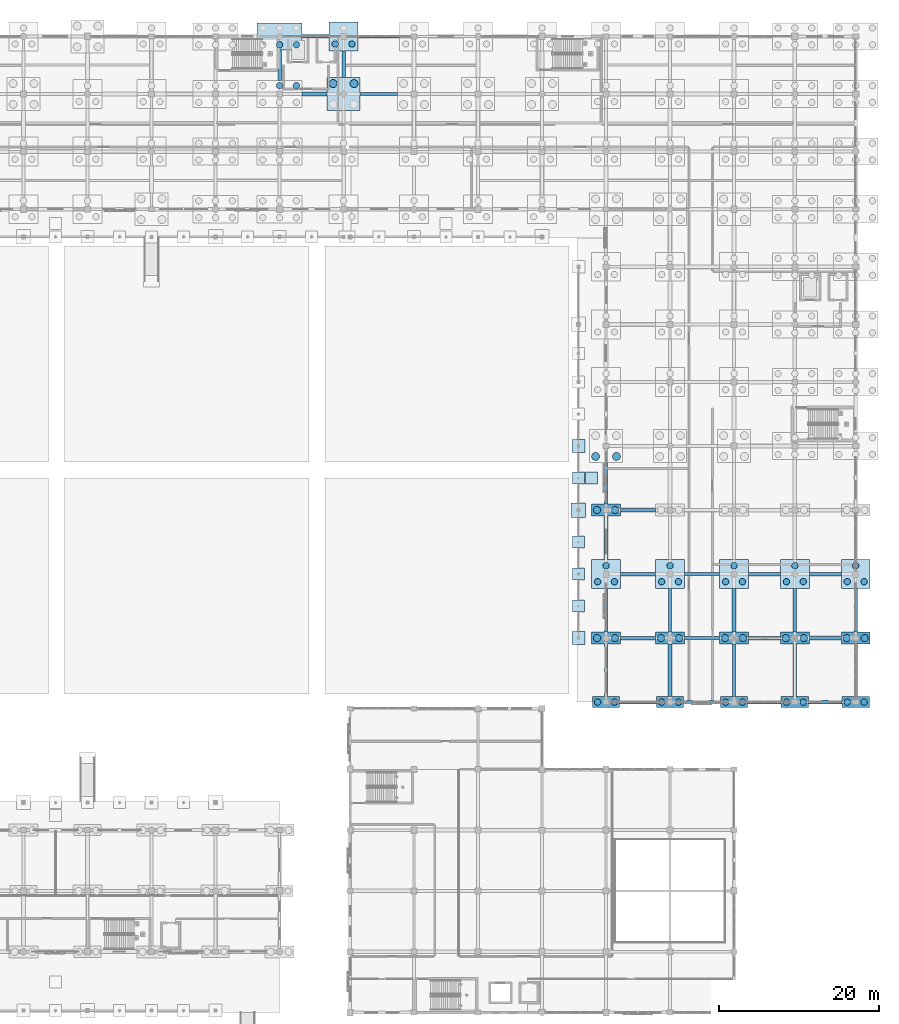
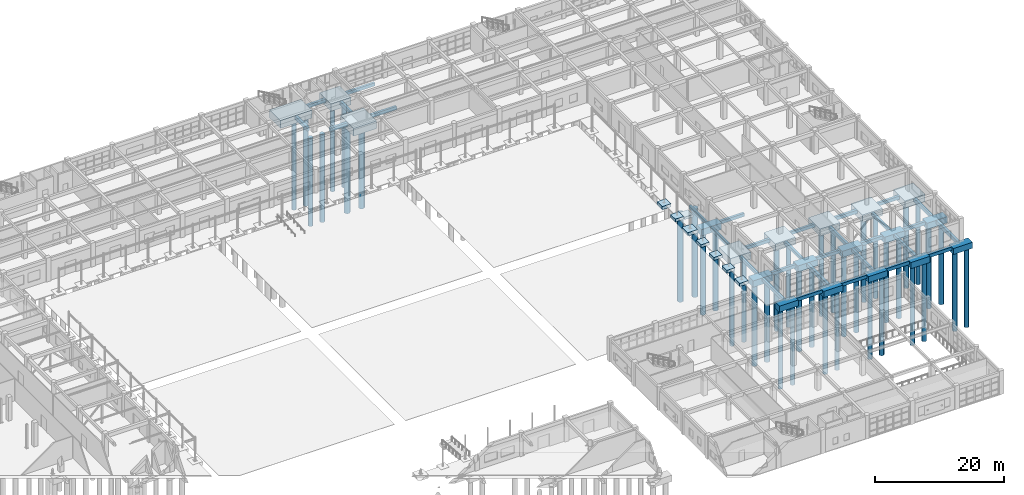
# One storey, part 6 of 166: 58 footings, 47 piles.
"""IFC4 building model written with IfcOpenShell, lengths in metres."""

from ifc_helpers import new_model, si_unit, direction, frame, origin, origin_2d, place, context, subcontext, project, spatial, rectangle, circle, extrude, material, material_profile, profile_set, type_object, element, save


model = new_model("IFC4")

# Units and contexts
model_context = context("Model", 3, precision=1e-05, world=origin(), true_north=direction((0.0, 1.0)))
body_context = subcontext(model_context, "Body", "Model", "MODEL_VIEW")
ifc_project = project(units=[si_unit("LENGTHUNIT", "METRE"), si_unit("AREAUNIT", "SQUARE_METRE"), si_unit("VOLUMEUNIT", "CUBIC_METRE"), si_unit("PLANEANGLEUNIT", "RADIAN"), si_unit("MASSUNIT", "GRAM", prefix="KILO")], contexts=[model_context])

# Site, building, storey
site_placement = place(None, origin())
site = spatial("IfcSite", under=ifc_project, at=site_placement, CompositionType="ELEMENT")
building_placement = place(site_placement, origin())
building = spatial("IfcBuilding", under=site, at=building_placement, Name="Kharva Crest Polytechnic", CompositionType="ELEMENT")
storey_placement = place(building_placement, origin())
storey = spatial("IfcBuildingStorey", under=building, at=storey_placement, Name="L00", CompositionType="ELEMENT", Elevation=0.0)

# Footings
ifc_material = material(Name="Concrete C35/45", Category="concrete")
footing_type_1 = type_object("IfcFootingType", Name="FTG-GB-400X600", PredefinedType="FOOTING_BEAM", material=ifc_material)
footing_1_placement = place(storey_placement, frame((164.800048828125, 38.800048828125, -1.005126953125), z_axis=(0.0, 0.0, 1.0), x_axis=(1.0, 0.0, 0.0)))
element("IfcFooting", 1, at=footing_1_placement, inside=storey, type_object=footing_type_1, Name="L00 Ground Tie Beam FJ/21-22", PredefinedType="FOOTING_BEAM", context=body_context, shape_type="SweptSolid", body=[
    extrude(rectangle(XDim=4.60009765625, YDim=0.39990234375, at=origin_2d()), origin(), (0.0, 0.0, 1.0), 0.60009765625),
])
for number, where, z_axis, x_axis, name in (
    (2, (164.800048828125, 46.800048828125, -1.005126953125), (0.0, 0.0, 1.0), (1.0, 0.0, 0.0), "L00 Ground Tie Beam G/21-22"),
    (3, (164.800048828125, 54.800048828125, -1.005126953125), (0.0, 0.0, 1.0), (1.0, 0.0, 0.0), "L00 Ground Tie Beam H/21-22"),
):
    element("IfcFooting", number, at=place(storey_placement, frame(where, z_axis=z_axis, x_axis=x_axis)), inside=storey, type_object=footing_type_1, Name=name, PredefinedType="FOOTING_BEAM", context=body_context, shape_type="SweptSolid", body=[
        extrude(rectangle(XDim=4.39990234375, YDim=0.39990234375, at=origin_2d()), origin(), (0.0, 0.0, 1.0), 0.60009765625),
    ])
footing_2_placement = place(storey_placement, frame((124.39990234375, 122.0, -1.005126953125), z_axis=(0.0, 0.0, 1.0), x_axis=(1.0, 0.0, 0.0)))
element("IfcFooting", 4, at=footing_2_placement, inside=storey, type_object=footing_type_1, Name="L00 Ground Tie Beam S/16-17", PredefinedType="FOOTING_BEAM", context=body_context, shape_type="SweptSolid", body=[
    extrude(rectangle(XDim=5.199951171875, YDim=0.39990234375, at=origin_2d()), origin(), (0.0, 0.0, 1.0), 0.60009765625),
])
footing_3_placement = place(storey_placement, frame((152.800048828125, 50.27490234375, -1.005126953125), z_axis=(0.0, 0.0, 1.0), x_axis=(0.0, 1.0, 0.0)))
element("IfcFooting", 5, at=footing_3_placement, inside=storey, type_object=footing_type_1, Name="L00 Ground Tie Beam 20/G-H", PredefinedType="FOOTING_BEAM", context=body_context, shape_type="SweptSolid", body=[
    extrude(rectangle(XDim=5.449951171875, YDim=0.39990234375, at=origin_2d()), origin(), (0.0, 0.0, 1.0), 0.60009765625),
])
footing_4_placement = place(storey_placement, frame((168.800048828125, 42.77490234375, -1.005126953125), z_axis=(0.0, 0.0, 1.0), x_axis=(0.0, 1.0, 0.0)))
element("IfcFooting", 6, at=footing_4_placement, inside=storey, type_object=footing_type_1, Name="L00 Ground Tie Beam 22/FJ-G", PredefinedType="FOOTING_BEAM", context=body_context, shape_type="SweptSolid", body=[
    extrude(rectangle(XDim=6.550048828125, YDim=0.39990234375, at=origin_2d()), origin(), (0.0, 0.0, 1.0), 0.60009765625),
])
footing_5_placement = place(storey_placement, frame((176.39990234375, 50.27490234375, -1.005126953125), z_axis=(0.0, 0.0, 1.0), x_axis=(0.0, 1.0, 0.0)))
element("IfcFooting", 7, at=footing_5_placement, inside=storey, type_object=footing_type_1, Name="L00 Ground Tie Beam 23/G-H", PredefinedType="FOOTING_BEAM", context=body_context, shape_type="SweptSolid", body=[
    extrude(rectangle(XDim=5.449951171875, YDim=0.39990234375, at=origin_2d()), origin(), (0.0, 0.0, 1.0), 0.60009765625),
])
footing_type_2 = type_object("IfcFootingType", Name="FTG-GB-420X620", PredefinedType="FOOTING_BEAM", material=ifc_material)
footing_6_placement = place(storey_placement, frame((156.800048828125, 38.800048828125, -1.025146484375), z_axis=(0.0, 0.0, 1.0), x_axis=(1.0, 0.0, 0.0)))
element("IfcFooting", 8, at=footing_6_placement, inside=storey, type_object=footing_type_2, Name="L00 Ground Tie Beam FJ/20-21", PredefinedType="FOOTING_BEAM", context=body_context, shape_type="SweptSolid", body=[
    extrude(rectangle(XDim=4.60009765625, YDim=0.419921875, at=origin_2d()), origin(), (0.0, 0.0, 1.0), 0.6201171875),
])
footing_7_placement = place(storey_placement, frame((180.199951171875, 38.800048828125, -1.025146484375), z_axis=(0.0, 0.0, 1.0), x_axis=(1.0, 0.0, 0.0)))
element("IfcFooting", 9, at=footing_7_placement, inside=storey, type_object=footing_type_2, Name="L00 Ground Tie Beam FJ/23-24", PredefinedType="FOOTING_BEAM", context=body_context, shape_type="SweptSolid", body=[
    extrude(rectangle(XDim=4.199951171875, YDim=0.419921875, at=origin_2d()), origin(), (0.0, 0.0, 1.0), 0.6201171875),
])
footing_8_placement = place(storey_placement, frame((156.800048828125, 46.800048828125, -1.025146484375), z_axis=(0.0, 0.0, 1.0), x_axis=(1.0, 0.0, 0.0)))
element("IfcFooting", 10, at=footing_8_placement, inside=storey, type_object=footing_type_2, Name="L00 Ground Tie Beam G/20-21", PredefinedType="FOOTING_BEAM", context=body_context, shape_type="SweptSolid", body=[
    extrude(rectangle(XDim=4.39990234375, YDim=0.419921875, at=origin_2d()), origin(), (0.0, 0.0, 1.0), 0.6201171875),
])
footing_9_placement = place(storey_placement, frame((180.199951171875, 46.800048828125, -1.025146484375), z_axis=(0.0, 0.0, 1.0), x_axis=(1.0, 0.0, 0.0)))
element("IfcFooting", 11, at=footing_9_placement, inside=storey, type_object=footing_type_2, Name="L00 Ground Tie Beam G/23-24", PredefinedType="FOOTING_BEAM", context=body_context, shape_type="SweptSolid", body=[
    extrude(rectangle(XDim=4.0, YDim=0.419921875, at=origin_2d()), origin(), (0.0, 0.0, 1.0), 0.6201171875),
])
footing_10_placement = place(storey_placement, frame((156.800048828125, 54.800048828125, -1.025146484375), z_axis=(0.0, 0.0, 1.0), x_axis=(1.0, 0.0, 0.0)))
element("IfcFooting", 12, at=footing_10_placement, inside=storey, type_object=footing_type_2, Name="L00 Ground Tie Beam H/20-21", PredefinedType="FOOTING_BEAM", context=body_context, shape_type="SweptSolid", body=[
    extrude(rectangle(XDim=4.39990234375, YDim=0.419921875, at=origin_2d()), origin(), (0.0, 0.0, 1.0), 0.6201171875),
])
footing_11_placement = place(storey_placement, frame((180.199951171875, 54.800048828125, -1.025146484375), z_axis=(0.0, 0.0, 1.0), x_axis=(1.0, 0.0, 0.0)))
element("IfcFooting", 13, at=footing_11_placement, inside=storey, type_object=footing_type_2, Name="L00 Ground Tie Beam H/23-24", PredefinedType="FOOTING_BEAM", context=body_context, shape_type="SweptSolid", body=[
    extrude(rectangle(XDim=4.0, YDim=0.419921875, at=origin_2d()), origin(), (0.0, 0.0, 1.0), 0.6201171875),
])
footing_12_placement = place(storey_placement, frame((156.800048828125, 62.800048828125, -1.025146484375), z_axis=(0.0, 0.0, 1.0), x_axis=(1.0, 0.0, 0.0)))
element("IfcFooting", 14, at=footing_12_placement, inside=storey, type_object=footing_type_2, Name="L00 Ground Tie Beam J/20-21", PredefinedType="FOOTING_BEAM", context=body_context, shape_type="SweptSolid", body=[
    extrude(rectangle(XDim=4.39990234375, YDim=0.419921875, at=origin_2d()), origin(), (0.0, 0.0, 1.0), 0.6201171875),
])
footing_13_placement = place(storey_placement, frame((124.39990234375, 114.800048828125, -1.025146484375), z_axis=(0.0, 0.0, 1.0), x_axis=(1.0, 0.0, 0.0)))
element("IfcFooting", 15, at=footing_13_placement, inside=storey, type_object=footing_type_2, Name="L00 Ground Tie Beam R/16-17", PredefinedType="FOOTING_BEAM", context=body_context, shape_type="SweptSolid", body=[
    extrude(rectangle(XDim=4.699951171875, YDim=0.419921875, at=origin_2d()), origin(), (0.0, 0.0, 1.0), 0.6201171875),
])
footing_14_placement = place(storey_placement, frame((116.5, 122.0, -1.025146484375), z_axis=(0.0, 0.0, 1.0), x_axis=(1.0, 0.0, 0.0)))
element("IfcFooting", 16, at=footing_14_placement, inside=storey, type_object=footing_type_2, Name="L00 Ground Tie Beam S/15-16", PredefinedType="FOOTING_BEAM", context=body_context, shape_type="SweptSolid", body=[
    extrude(rectangle(XDim=3.39990234375, YDim=0.419921875, at=origin_2d()), origin(), (0.0, 0.0, 1.0), 0.6201171875),
])
footing_15_placement = place(storey_placement, frame((152.800048828125, 42.77490234375, -1.025146484375), z_axis=(0.0, 0.0, 1.0), x_axis=(0.0, 1.0, 0.0)))
element("IfcFooting", 17, at=footing_15_placement, inside=storey, type_object=footing_type_2, Name="L00 Ground Tie Beam 20/FJ-G", PredefinedType="FOOTING_BEAM", context=body_context, shape_type="SweptSolid", body=[
    extrude(rectangle(XDim=6.550048828125, YDim=0.419921875, at=origin_2d()), origin(), (0.0, 0.0, 1.0), 0.6201171875),
])
footing_16_placement = place(storey_placement, frame((152.800048828125, 66.14990234375, -1.025146484375), z_axis=(0.0, 0.0, 1.0), x_axis=(0.0, 1.0, 0.0)))
element("IfcFooting", 18, at=footing_16_placement, inside=storey, type_object=footing_type_2, Name="L00 Ground Tie Beam 20/J-K", PredefinedType="FOOTING_BEAM", context=body_context, shape_type="SweptSolid", body=[
    extrude(rectangle(XDim=5.199951171875, YDim=0.419921875, at=origin_2d()), origin(), (0.0, 0.0, 1.0), 0.6201171875),
])
footing_17_placement = place(storey_placement, frame((160.800048828125, 50.27490234375, -1.025146484375), z_axis=(0.0, 0.0, 1.0), x_axis=(0.0, 1.0, 0.0)))
element("IfcFooting", 19, at=footing_17_placement, inside=storey, type_object=footing_type_2, Name="L00 Ground Tie Beam 21/G-H", PredefinedType="FOOTING_BEAM", context=body_context, shape_type="SweptSolid", body=[
    extrude(rectangle(XDim=5.449951171875, YDim=0.419921875, at=origin_2d()), origin(), (0.0, 0.0, 1.0), 0.6201171875),
])
footing_18_placement = place(storey_placement, frame((176.39990234375, 42.77490234375, -1.025146484375), z_axis=(0.0, 0.0, 1.0), x_axis=(0.0, 1.0, 0.0)))
element("IfcFooting", 20, at=footing_18_placement, inside=storey, type_object=footing_type_2, Name="L00 Ground Tie Beam 23/FJ-G", PredefinedType="FOOTING_BEAM", context=body_context, shape_type="SweptSolid", body=[
    extrude(rectangle(XDim=6.550048828125, YDim=0.419921875, at=origin_2d()), origin(), (0.0, 0.0, 1.0), 0.6201171875),
])
footing_19_placement = place(storey_placement, frame((184.0, 50.27490234375, -1.025146484375), z_axis=(0.0, 0.0, 1.0), x_axis=(0.0, 1.0, 0.0)))
element("IfcFooting", 21, at=footing_19_placement, inside=storey, type_object=footing_type_2, Name="L00 Ground Tie Beam 24/G-H", PredefinedType="FOOTING_BEAM", context=body_context, shape_type="SweptSolid", body=[
    extrude(rectangle(XDim=5.449951171875, YDim=0.419921875, at=origin_2d()), origin(), (0.0, 0.0, 1.0), 0.6201171875),
])
footing_type_3 = type_object("IfcFootingType", Name="FTG-GB-450X650", PredefinedType="FOOTING_BEAM", material=ifc_material)
footing_20_placement = place(storey_placement, frame((172.60009765625, 38.800048828125, -1.054931640625), z_axis=(0.0, 0.0, 1.0), x_axis=(1.0, 0.0, 0.0)))
element("IfcFooting", 22, at=footing_20_placement, inside=storey, type_object=footing_type_3, Name="L00 Ground Tie Beam FJ/22-23", PredefinedType="FOOTING_BEAM", context=body_context, shape_type="SweptSolid", body=[
    extrude(rectangle(XDim=4.199951171875, YDim=0.449951171875, at=origin_2d()), origin(), (0.0, 0.0, 1.0), 0.64990234375),
])
for number, where, z_axis, x_axis, name in (
    (23, (172.60009765625, 46.800048828125, -1.054931640625), (0.0, 0.0, 1.0), (1.0, 0.0, 0.0), "L00 Ground Tie Beam G/22-23"),
    (24, (172.60009765625, 54.800048828125, -1.054931640625), (0.0, 0.0, 1.0), (1.0, 0.0, 0.0), "L00 Ground Tie Beam H/22-23"),
):
    element("IfcFooting", number, at=place(storey_placement, frame(where, z_axis=z_axis, x_axis=x_axis)), inside=storey, type_object=footing_type_3, Name=name, PredefinedType="FOOTING_BEAM", context=body_context, shape_type="SweptSolid", body=[
        extrude(rectangle(XDim=4.0, YDim=0.449951171875, at=origin_2d()), origin(), (0.0, 0.0, 1.0), 0.64990234375),
    ])
footing_21_placement = place(storey_placement, frame((116.375, 114.800048828125, -1.054931640625), z_axis=(0.0, 0.0, 1.0), x_axis=(1.0, 0.0, 0.0)))
element("IfcFooting", 25, at=footing_21_placement, inside=storey, type_object=footing_type_3, Name="L00 Ground Tie Beam R/15-16", PredefinedType="FOOTING_BEAM", context=body_context, shape_type="SweptSolid", body=[
    extrude(rectangle(XDim=3.14990234375, YDim=0.449951171875, at=origin_2d()), origin(), (0.0, 0.0, 1.0), 0.64990234375),
])
footing_22_placement = place(storey_placement, frame((112.0, 118.39990234375, -1.054931640625), z_axis=(0.0, 0.0, 1.0), x_axis=(0.0, 1.0, 0.0)))
element("IfcFooting", 26, at=footing_22_placement, inside=storey, type_object=footing_type_3, Name="L00 Ground Tie Beam 15/R-S", PredefinedType="FOOTING_BEAM", context=body_context, shape_type="SweptSolid", body=[
    extrude(rectangle(XDim=3.800048828125, YDim=0.449951171875, at=origin_2d()), origin(), (0.0, 0.0, 1.0), 0.64990234375),
])
footing_23_placement = place(storey_placement, frame((120.0, 118.52490234375, -1.054931640625), z_axis=(0.0, 0.0, 1.0), x_axis=(0.0, 1.0, 0.0)))
element("IfcFooting", 27, at=footing_23_placement, inside=storey, type_object=footing_type_3, Name="L00 Ground Tie Beam 16/R-S", PredefinedType="FOOTING_BEAM", context=body_context, shape_type="SweptSolid", body=[
    extrude(rectangle(XDim=3.35009765625, YDim=0.449951171875, at=origin_2d()), origin(), (0.0, 0.0, 1.0), 0.64990234375),
])
footing_24_placement = place(storey_placement, frame((152.800048828125, 59.324951171875, -1.054931640625), z_axis=(0.0, 0.0, 1.0), x_axis=(0.0, 1.0, 0.0)))
element("IfcFooting", 28, at=footing_24_placement, inside=storey, type_object=footing_type_3, Name="L00 Ground Tie Beam 20/H-J", PredefinedType="FOOTING_BEAM", context=body_context, shape_type="SweptSolid", body=[
    extrude(rectangle(XDim=5.449951171875, YDim=0.449951171875, at=origin_2d()), origin(), (0.0, 0.0, 1.0), 0.64990234375),
])
footing_25_placement = place(storey_placement, frame((160.800048828125, 42.77490234375, -1.054931640625), z_axis=(0.0, 0.0, 1.0), x_axis=(0.0, 1.0, 0.0)))
element("IfcFooting", 29, at=footing_25_placement, inside=storey, type_object=footing_type_3, Name="L00 Ground Tie Beam 21/FJ-G", PredefinedType="FOOTING_BEAM", context=body_context, shape_type="SweptSolid", body=[
    extrude(rectangle(XDim=6.550048828125, YDim=0.449951171875, at=origin_2d()), origin(), (0.0, 0.0, 1.0), 0.64990234375),
])
footing_26_placement = place(storey_placement, frame((168.800048828125, 50.27490234375, -1.054931640625), z_axis=(0.0, 0.0, 1.0), x_axis=(0.0, 1.0, 0.0)))
element("IfcFooting", 30, at=footing_26_placement, inside=storey, type_object=footing_type_3, Name="L00 Ground Tie Beam 22/G-H", PredefinedType="FOOTING_BEAM", context=body_context, shape_type="SweptSolid", body=[
    extrude(rectangle(XDim=5.449951171875, YDim=0.449951171875, at=origin_2d()), origin(), (0.0, 0.0, 1.0), 0.64990234375),
])
footing_27_placement = place(storey_placement, frame((184.0, 42.77490234375, -1.054931640625), z_axis=(0.0, 0.0, 1.0), x_axis=(0.0, 1.0, 0.0)))
element("IfcFooting", 31, at=footing_27_placement, inside=storey, type_object=footing_type_3, Name="L00 Ground Tie Beam 24/FJ-G", PredefinedType="FOOTING_BEAM", context=body_context, shape_type="SweptSolid", body=[
    extrude(rectangle(XDim=6.550048828125, YDim=0.449951171875, at=origin_2d()), origin(), (0.0, 0.0, 1.0), 0.64990234375),
])
footing_type_4 = type_object("IfcFootingType", Name="FTG-PAD-1500X1500", PredefinedType="PAD_FOOTING", material=ifc_material)
for number, where, z_axis, x_axis, name in (
    (32, (149.35009765625, 54.800048828125, -0.5498046875), (0.0, 0.0, 1.0), (1.0, 0.0, 0.0), "L00 Colonnade Pad Footing VE02"),
    (33, (149.35009765625, 50.800048828125, -0.5498046875), (0.0, 0.0, 1.0), (1.0, 0.0, 0.0), "L00 Colonnade Mid Pad Footing VEM01"),
    (34, (149.35009765625, 58.800048828125, -0.5498046875), (0.0, 0.0, 1.0), (1.0, 0.0, 0.0), "L00 Colonnade Mid Pad Footing VEM02"),
    (35, (149.35009765625, 66.800048828125, -0.5498046875), (0.0, 0.0, 1.0), (1.0, 0.0, 0.0), "L00 Colonnade Mid Pad Footing VEM03"),
):
    element("IfcFooting", number, at=place(storey_placement, frame(where, z_axis=z_axis, x_axis=x_axis)), inside=storey, type_object=footing_type_4, Name=name, PredefinedType="PAD_FOOTING", context=body_context, shape_type="SweptSolid", body=[
        extrude(rectangle(XDim=1.5, YDim=1.5, at=origin_2d()), origin(), (0.0, 0.0, 1.0), 0.550048828125),
    ])
footing_28_placement = place(storey_placement, frame((151.0, 66.800048828125, -0.68994140625), z_axis=(0.0, 0.0, 1.0), x_axis=(1.0, 0.0, 0.0)))
element("IfcFooting", 36, at=footing_28_placement, inside=storey, type_object=footing_type_4, Name="L00 Outdoor Slab Mid Pad VER_E_L00", PredefinedType="PAD_FOOTING", context=body_context, shape_type="SweptSolid", body=[
    extrude(rectangle(XDim=1.5, YDim=1.5, at=origin_2d()), origin(), (0.0, 0.0, 1.0), 0.5),
])
footing_type_5 = type_object("IfcFootingType", Name="FTG-PAD-1600X1600", PredefinedType="PAD_FOOTING", material=ifc_material)
for number, where, z_axis, x_axis, name in (
    (37, (149.35009765625, 46.800048828125, -0.60009765625), (0.0, 0.0, 1.0), (1.0, 0.0, 0.0), "L00 Colonnade Pad Footing VE01"),
    (38, (149.35009765625, 70.800048828125, -0.60009765625), (0.0, 0.0, 1.0), (1.0, 0.0, 0.0), "L00 Colonnade Pad Footing VE04"),
):
    element("IfcFooting", number, at=place(storey_placement, frame(where, z_axis=z_axis, x_axis=x_axis)), inside=storey, type_object=footing_type_5, Name=name, PredefinedType="PAD_FOOTING", context=body_context, shape_type="SweptSolid", body=[
        extrude(rectangle(XDim=1.60009765625, YDim=1.60009765625, at=origin_2d()), origin(), (0.0, 0.0, 1.0), 0.60009765625),
    ])
footing_type_6 = type_object("IfcFootingType", Name="FTG-PAD-1800X1800", PredefinedType="PAD_FOOTING", material=ifc_material)
footing_29_placement = place(storey_placement, frame((149.35009765625, 62.800048828125, -0.64990234375), z_axis=(0.0, 0.0, 1.0), x_axis=(1.0, 0.0, 0.0)))
element("IfcFooting", 39, at=footing_29_placement, inside=storey, type_object=footing_type_6, Name="L00 Colonnade Pad Footing VE03", PredefinedType="PAD_FOOTING", context=body_context, shape_type="SweptSolid", body=[
    extrude(rectangle(XDim=1.800048828125, YDim=1.800048828125, at=origin_2d()), origin(), (0.0, 0.0, 1.0), 0.64990234375),
])
footing_type_7 = type_object("IfcFootingType", Name="FTG-PC-3400X1400", PredefinedType="PILE_CAP", material=ifc_material)
for number, where, z_axis, x_axis, name in (
    (40, (152.800048828125, 38.800048828125, -1.554931640625), (0.0, 0.0, 1.0), (1.0, 0.0, 0.0), "L00 Pile Cap 20/FJ"),
    (41, (160.800048828125, 38.800048828125, -1.554931640625), (0.0, 0.0, 1.0), (1.0, 0.0, 0.0), "L00 Pile Cap 21/FJ"),
    (42, (168.800048828125, 38.800048828125, -1.554931640625), (0.0, 0.0, 1.0), (1.0, 0.0, 0.0), "L00 Pile Cap 22/FJ"),
    (43, (176.39990234375, 38.800048828125, -1.554931640625), (0.0, 0.0, 1.0), (1.0, 0.0, 0.0), "L00 Pile Cap 23/FJ"),
    (44, (184.0, 38.800048828125, -1.554931640625), (0.0, 0.0, 1.0), (1.0, 0.0, 0.0), "L00 Pile Cap 24/FJ"),
):
    element("IfcFooting", number, at=place(storey_placement, frame(where, z_axis=z_axis, x_axis=x_axis)), inside=storey, type_object=footing_type_7, Name=name, PredefinedType="PILE_CAP", context=body_context, shape_type="SweptSolid", body=[
        extrude(rectangle(XDim=3.39990234375, YDim=1.39990234375, at=origin_2d()), origin(), (0.0, 0.0, 1.0), 1.14990234375),
    ])
footing_type_8 = type_object("IfcFootingType", Name="FTG-PC-3600X1500", PredefinedType="PILE_CAP", material=ifc_material)
for number, where, z_axis, x_axis, name in (
    (45, (152.800048828125, 46.800048828125, -1.60498046875), (0.0, 0.0, 1.0), (1.0, 0.0, 0.0), "L00 Pile Cap 20/G"),
    (46, (152.800048828125, 62.800048828125, -1.60498046875), (0.0, 0.0, 1.0), (1.0, 0.0, 0.0), "L00 Pile Cap 20/J"),
    (47, (160.800048828125, 46.800048828125, -1.60498046875), (0.0, 0.0, 1.0), (1.0, 0.0, 0.0), "L00 Pile Cap 21/G"),
    (48, (168.800048828125, 46.800048828125, -1.60498046875), (0.0, 0.0, 1.0), (1.0, 0.0, 0.0), "L00 Pile Cap 22/G"),
    (49, (176.39990234375, 46.800048828125, -1.60498046875), (0.0, 0.0, 1.0), (1.0, 0.0, 0.0), "L00 Pile Cap 23/G"),
    (50, (184.0, 46.800048828125, -1.60498046875), (0.0, 0.0, 1.0), (1.0, 0.0, 0.0), "L00 Pile Cap 24/G"),
):
    element("IfcFooting", number, at=place(storey_placement, frame(where, z_axis=z_axis, x_axis=x_axis)), inside=storey, type_object=footing_type_8, Name=name, PredefinedType="PILE_CAP", context=body_context, shape_type="SweptSolid", body=[
        extrude(rectangle(XDim=3.60009765625, YDim=1.5, at=origin_2d()), origin(), (0.0, 0.0, 1.0), 1.199951171875),
    ])
footing_type_9 = type_object("IfcFootingType", Name="FTG-PC-3600X3600", PredefinedType="PILE_CAP", material=ifc_material)
for number, where, z_axis, x_axis, name in (
    (51, (120.0, 122.0, -1.755126953125), (0.0, 0.0, 1.0), (1.0, 0.0, 0.0), "L00 Pile Cap 16/S"),
    (52, (152.800048828125, 54.800048828125, -1.755126953125), (0.0, 0.0, 1.0), (1.0, 0.0, 0.0), "L00 Pile Cap 20/H"),
    (53, (160.800048828125, 54.800048828125, -1.755126953125), (0.0, 0.0, 1.0), (1.0, 0.0, 0.0), "L00 Pile Cap 21/H"),
    (54, (168.800048828125, 54.800048828125, -1.755126953125), (0.0, 0.0, 1.0), (1.0, 0.0, 0.0), "L00 Pile Cap 22/H"),
    (55, (176.39990234375, 54.800048828125, -1.755126953125), (0.0, 0.0, 1.0), (1.0, 0.0, 0.0), "L00 Pile Cap 23/H"),
    (56, (184.0, 54.800048828125, -1.755126953125), (0.0, 0.0, 1.0), (1.0, 0.0, 0.0), "L00 Pile Cap 24/H"),
):
    element("IfcFooting", number, at=place(storey_placement, frame(where, z_axis=z_axis, x_axis=x_axis)), inside=storey, type_object=footing_type_9, Name=name, PredefinedType="PILE_CAP", context=body_context, shape_type="SweptSolid", body=[
        extrude(rectangle(XDim=3.60009765625, YDim=3.60009765625, at=origin_2d()), origin(), (0.0, 0.0, 1.0), 1.35009765625),
    ])
footing_type_10 = type_object("IfcFootingType", Name="FTG-PC-4100X4100", PredefinedType="PILE_CAP", material=ifc_material)
footing_30_placement = place(storey_placement, frame((120.0, 114.800048828125, -1.85498046875), z_axis=(0.0, 0.0, 1.0), x_axis=(1.0, 0.0, 0.0)))
element("IfcFooting", 57, at=footing_30_placement, inside=storey, type_object=footing_type_10, Name="L00 Pile Cap 16/R", PredefinedType="PILE_CAP", context=body_context, shape_type="SweptSolid", body=[
    extrude(rectangle(XDim=4.10009765625, YDim=4.10009765625, at=origin_2d()), origin(), (0.0, 0.0, 1.0), 1.449951171875),
])
footing_type_11 = type_object("IfcFootingType", Name="FTG-PC-5600X3400", PredefinedType="PILE_CAP", material=ifc_material)
footing_31_placement = place(storey_placement, frame((112.0, 122.0, -1.905029296875), z_axis=(0.0, 0.0, 1.0), x_axis=(1.0, 0.0, 0.0)))
element("IfcFooting", 58, at=footing_31_placement, inside=storey, type_object=footing_type_11, Name="L00 Pile Cap 15/S", PredefinedType="PILE_CAP", context=body_context, shape_type="SweptSolid", body=[
    extrude(rectangle(XDim=5.60009765625, YDim=3.39990234375, at=origin_2d()), origin(), (0.0, 0.0, 1.0), 1.5),
])

# Piles
ifc_material_profile_1 = material_profile(ifc_material, circle(Radius=0.5, at=origin_2d()), Name="DIA 1000")
ifc_profile_set_1 = profile_set([ifc_material_profile_1], Name="Concrete C35/45")
pile_type_1 = type_object("IfcPileType", Name="PILE-BORED-1000", PredefinedType="BORED", material=ifc_profile_set_1)
for number, where, z_axis, x_axis, name in (
    (59, (118.699951171875, 116.10009765625, -1.7548828125), (0.0, 0.0, -1.0), (1.0, 0.0, 0.0), "L00 Bored Pile 16/R-3"),
    (60, (121.300048828125, 116.10009765625, -1.7548828125), (0.0, 0.0, -1.0), (1.0, 0.0, 0.0), "L00 Bored Pile 16/R-4"),
    (61, (151.5, 69.5, -1.7548828125), (0.0, 0.0, -1.0), (1.0, 0.0, 0.0), "L00 Bored Pile 20/K-1"),
    (62, (154.10009765625, 69.5, -1.7548828125), (0.0, 0.0, -1.0), (1.0, 0.0, 0.0), "L00 Bored Pile 20/K-2"),
):
    element("IfcPile", number, at=place(storey_placement, frame(where, z_axis=z_axis, x_axis=x_axis)), inside=storey, type_object=pile_type_1, Name=name, PredefinedType="BORED", context=body_context, shape_type="SweptSolid", body=[
        extrude(circle(Radius=0.5, at=origin_2d()), origin(), (0.0, 0.0, 1.0), 16.7451171875),
    ])
ifc_material_profile_2 = material_profile(ifc_material, circle(Radius=0.39990234375, at=origin_2d()), Name="DIA 800")
ifc_profile_set_2 = profile_set([ifc_material_profile_2], Name="Concrete C35/45")
pile_type_2 = type_object("IfcPileType", Name="PILE-BORED-800", PredefinedType="BORED", material=ifc_profile_set_2)
for number, where, z_axis, x_axis, name in (
    (63, (112.0, 115.85009765625, -1.804931640625), (0.0, 0.0, -1.0), (1.0, 0.0, 0.0), "L00 Bored Pile 15/R-5"),
    (64, (114.10009765625, 115.85009765625, -1.804931640625), (0.0, 0.0, -1.0), (1.0, 0.0, 0.0), "L00 Bored Pile 15/R-6"),
    (65, (112.0, 120.949951171875, -1.804931640625), (0.0, 0.0, -1.0), (1.0, 0.0, 0.0), "L00 Bored Pile 15/S-2"),
    (66, (114.10009765625, 120.949951171875, -1.804931640625), (0.0, 0.0, -1.0), (1.0, 0.0, 0.0), "L00 Bored Pile 15/S-3"),
):
    element("IfcPile", number, at=place(storey_placement, frame(where, z_axis=z_axis, x_axis=x_axis)), inside=storey, type_object=pile_type_2, Name=name, PredefinedType="BORED", context=body_context, shape_type="SweptSolid", body=[
        extrude(circle(Radius=0.39990234375, at=origin_2d()), origin(), (0.0, 0.0, 1.0), 16.695068359375),
    ])
for number, where, z_axis, x_axis, name in (
    (67, (118.949951171875, 121.050048828125, -1.655029296875), (0.0, 0.0, -1.0), (1.0, 0.0, 0.0), "L00 Bored Pile 16/S-1"),
    (68, (121.050048828125, 121.050048828125, -1.655029296875), (0.0, 0.0, -1.0), (1.0, 0.0, 0.0), "L00 Bored Pile 16/S-2"),
):
    element("IfcPile", number, at=place(storey_placement, frame(where, z_axis=z_axis, x_axis=x_axis)), inside=storey, type_object=pile_type_2, Name=name, PredefinedType="BORED", context=body_context, shape_type="SweptSolid", body=[
        extrude(circle(Radius=0.39990234375, at=origin_2d()), origin(), (0.0, 0.0, 1.0), 15.844970703125),
    ])
for number, where, z_axis, x_axis, name in (
    (69, (151.75, 38.800048828125, -1.455078125), (0.0, 0.0, -1.0), (1.0, 0.0, 0.0), "L00 Bored Pile 20/FJ-1"),
    (70, (153.85009765625, 38.800048828125, -1.455078125), (0.0, 0.0, -1.0), (1.0, 0.0, 0.0), "L00 Bored Pile 20/FJ-2"),
):
    element("IfcPile", number, at=place(storey_placement, frame(where, z_axis=z_axis, x_axis=x_axis)), inside=storey, type_object=pile_type_2, Name=name, PredefinedType="BORED", context=body_context, shape_type="SweptSolid", body=[
        extrude(circle(Radius=0.39990234375, at=origin_2d()), origin(), (0.0, 0.0, 1.0), 15.044921875),
    ])
for number, where, z_axis, x_axis, name in (
    (71, (151.75, 53.85009765625, -1.655029296875), (0.0, 0.0, -1.0), (1.0, 0.0, 0.0), "L00 Bored Pile 20/H-1"),
    (72, (153.85009765625, 53.85009765625, -1.655029296875), (0.0, 0.0, -1.0), (1.0, 0.0, 0.0), "L00 Bored Pile 20/H-2"),
    (73, (152.800048828125, 55.85009765625, -1.655029296875), (0.0, 0.0, -1.0), (1.0, 0.0, 0.0), "L00 Bored Pile 20/H-3"),
):
    element("IfcPile", number, at=place(storey_placement, frame(where, z_axis=z_axis, x_axis=x_axis)), inside=storey, type_object=pile_type_2, Name=name, PredefinedType="BORED", context=body_context, shape_type="SweptSolid", body=[
        extrude(circle(Radius=0.39990234375, at=origin_2d()), origin(), (0.0, 0.0, 1.0), 15.844970703125),
    ])
for number, where, z_axis, x_axis, name in (
    (74, (159.75, 38.800048828125, -1.455078125), (0.0, 0.0, -1.0), (1.0, 0.0, 0.0), "L00 Bored Pile 21/FJ-1"),
    (75, (161.85009765625, 38.800048828125, -1.455078125), (0.0, 0.0, -1.0), (1.0, 0.0, 0.0), "L00 Bored Pile 21/FJ-2"),
):
    element("IfcPile", number, at=place(storey_placement, frame(where, z_axis=z_axis, x_axis=x_axis)), inside=storey, type_object=pile_type_2, Name=name, PredefinedType="BORED", context=body_context, shape_type="SweptSolid", body=[
        extrude(circle(Radius=0.39990234375, at=origin_2d()), origin(), (0.0, 0.0, 1.0), 15.044921875),
    ])
for number, where, z_axis, x_axis, name in (
    (76, (159.75, 53.85009765625, -1.655029296875), (0.0, 0.0, -1.0), (1.0, 0.0, 0.0), "L00 Bored Pile 21/H-1"),
    (77, (161.85009765625, 53.85009765625, -1.655029296875), (0.0, 0.0, -1.0), (1.0, 0.0, 0.0), "L00 Bored Pile 21/H-2"),
    (78, (160.800048828125, 55.85009765625, -1.655029296875), (0.0, 0.0, -1.0), (1.0, 0.0, 0.0), "L00 Bored Pile 21/H-3"),
):
    element("IfcPile", number, at=place(storey_placement, frame(where, z_axis=z_axis, x_axis=x_axis)), inside=storey, type_object=pile_type_2, Name=name, PredefinedType="BORED", context=body_context, shape_type="SweptSolid", body=[
        extrude(circle(Radius=0.39990234375, at=origin_2d()), origin(), (0.0, 0.0, 1.0), 15.844970703125),
    ])
for number, where, z_axis, x_axis, name in (
    (79, (167.75, 38.800048828125, -1.455078125), (0.0, 0.0, -1.0), (1.0, 0.0, 0.0), "L00 Bored Pile 22/FJ-1"),
    (80, (169.85009765625, 38.800048828125, -1.455078125), (0.0, 0.0, -1.0), (1.0, 0.0, 0.0), "L00 Bored Pile 22/FJ-2"),
):
    element("IfcPile", number, at=place(storey_placement, frame(where, z_axis=z_axis, x_axis=x_axis)), inside=storey, type_object=pile_type_2, Name=name, PredefinedType="BORED", context=body_context, shape_type="SweptSolid", body=[
        extrude(circle(Radius=0.39990234375, at=origin_2d()), origin(), (0.0, 0.0, 1.0), 15.044921875),
    ])
for number, where, z_axis, x_axis, name in (
    (81, (167.75, 53.85009765625, -1.655029296875), (0.0, 0.0, -1.0), (1.0, 0.0, 0.0), "L00 Bored Pile 22/H-1"),
    (82, (169.85009765625, 53.85009765625, -1.655029296875), (0.0, 0.0, -1.0), (1.0, 0.0, 0.0), "L00 Bored Pile 22/H-2"),
    (83, (168.800048828125, 55.85009765625, -1.655029296875), (0.0, 0.0, -1.0), (1.0, 0.0, 0.0), "L00 Bored Pile 22/H-3"),
):
    element("IfcPile", number, at=place(storey_placement, frame(where, z_axis=z_axis, x_axis=x_axis)), inside=storey, type_object=pile_type_2, Name=name, PredefinedType="BORED", context=body_context, shape_type="SweptSolid", body=[
        extrude(circle(Radius=0.39990234375, at=origin_2d()), origin(), (0.0, 0.0, 1.0), 15.844970703125),
    ])
for number, where, z_axis, x_axis, name in (
    (84, (175.35009765625, 38.800048828125, -1.455078125), (0.0, 0.0, -1.0), (1.0, 0.0, 0.0), "L00 Bored Pile 23/FJ-1"),
    (85, (177.449951171875, 38.800048828125, -1.455078125), (0.0, 0.0, -1.0), (1.0, 0.0, 0.0), "L00 Bored Pile 23/FJ-2"),
):
    element("IfcPile", number, at=place(storey_placement, frame(where, z_axis=z_axis, x_axis=x_axis)), inside=storey, type_object=pile_type_2, Name=name, PredefinedType="BORED", context=body_context, shape_type="SweptSolid", body=[
        extrude(circle(Radius=0.39990234375, at=origin_2d()), origin(), (0.0, 0.0, 1.0), 15.044921875),
    ])
for number, where, z_axis, x_axis, name in (
    (86, (175.35009765625, 53.85009765625, -1.655029296875), (0.0, 0.0, -1.0), (1.0, 0.0, 0.0), "L00 Bored Pile 23/H-1"),
    (87, (177.449951171875, 53.85009765625, -1.655029296875), (0.0, 0.0, -1.0), (1.0, 0.0, 0.0), "L00 Bored Pile 23/H-2"),
    (88, (176.39990234375, 55.85009765625, -1.655029296875), (0.0, 0.0, -1.0), (1.0, 0.0, 0.0), "L00 Bored Pile 23/H-3"),
):
    element("IfcPile", number, at=place(storey_placement, frame(where, z_axis=z_axis, x_axis=x_axis)), inside=storey, type_object=pile_type_2, Name=name, PredefinedType="BORED", context=body_context, shape_type="SweptSolid", body=[
        extrude(circle(Radius=0.39990234375, at=origin_2d()), origin(), (0.0, 0.0, 1.0), 15.844970703125),
    ])
for number, where, z_axis, x_axis, name in (
    (89, (182.949951171875, 38.800048828125, -1.455078125), (0.0, 0.0, -1.0), (1.0, 0.0, 0.0), "L00 Bored Pile 24/FJ-1"),
    (90, (185.050048828125, 38.800048828125, -1.455078125), (0.0, 0.0, -1.0), (1.0, 0.0, 0.0), "L00 Bored Pile 24/FJ-2"),
):
    element("IfcPile", number, at=place(storey_placement, frame(where, z_axis=z_axis, x_axis=x_axis)), inside=storey, type_object=pile_type_2, Name=name, PredefinedType="BORED", context=body_context, shape_type="SweptSolid", body=[
        extrude(circle(Radius=0.39990234375, at=origin_2d()), origin(), (0.0, 0.0, 1.0), 15.044921875),
    ])
for number, where, z_axis, x_axis, name in (
    (91, (182.949951171875, 53.85009765625, -1.655029296875), (0.0, 0.0, -1.0), (1.0, 0.0, 0.0), "L00 Bored Pile 24/H-1"),
    (92, (185.050048828125, 53.85009765625, -1.655029296875), (0.0, 0.0, -1.0), (1.0, 0.0, 0.0), "L00 Bored Pile 24/H-2"),
    (93, (184.0, 55.85009765625, -1.655029296875), (0.0, 0.0, -1.0), (1.0, 0.0, 0.0), "L00 Bored Pile 24/H-3"),
):
    element("IfcPile", number, at=place(storey_placement, frame(where, z_axis=z_axis, x_axis=x_axis)), inside=storey, type_object=pile_type_2, Name=name, PredefinedType="BORED", context=body_context, shape_type="SweptSolid", body=[
        extrude(circle(Radius=0.39990234375, at=origin_2d()), origin(), (0.0, 0.0, 1.0), 15.844970703125),
    ])
ifc_material_profile_3 = material_profile(ifc_material, circle(Radius=0.449951171875, at=origin_2d()), Name="DIA 900")
ifc_profile_set_3 = profile_set([ifc_material_profile_3], Name="Concrete C35/45")
pile_type_3 = type_object("IfcPileType", Name="PILE-BORED-900", PredefinedType="BORED", material=ifc_profile_set_3)
for number, where, z_axis, x_axis, name in (
    (94, (151.675048828125, 46.800048828125, -1.5048828125), (0.0, 0.0, -1.0), (1.0, 0.0, 0.0), "L00 Bored Pile 20/G-1"),
    (95, (153.925048828125, 46.800048828125, -1.5048828125), (0.0, 0.0, -1.0), (1.0, 0.0, 0.0), "L00 Bored Pile 20/G-2"),
    (96, (151.675048828125, 62.800048828125, -1.5048828125), (0.0, 0.0, -1.0), (1.0, 0.0, 0.0), "L00 Bored Pile 20/J-1"),
    (97, (153.925048828125, 62.800048828125, -1.5048828125), (0.0, 0.0, -1.0), (1.0, 0.0, 0.0), "L00 Bored Pile 20/J-2"),
    (98, (159.675048828125, 46.800048828125, -1.5048828125), (0.0, 0.0, -1.0), (1.0, 0.0, 0.0), "L00 Bored Pile 21/G-1"),
    (99, (161.925048828125, 46.800048828125, -1.5048828125), (0.0, 0.0, -1.0), (1.0, 0.0, 0.0), "L00 Bored Pile 21/G-2"),
    (100, (167.675048828125, 46.800048828125, -1.5048828125), (0.0, 0.0, -1.0), (1.0, 0.0, 0.0), "L00 Bored Pile 22/G-1"),
    (101, (169.925048828125, 46.800048828125, -1.5048828125), (0.0, 0.0, -1.0), (1.0, 0.0, 0.0), "L00 Bored Pile 22/G-2"),
    (102, (175.27490234375, 46.800048828125, -1.5048828125), (0.0, 0.0, -1.0), (1.0, 0.0, 0.0), "L00 Bored Pile 23/G-1"),
    (103, (177.52490234375, 46.800048828125, -1.5048828125), (0.0, 0.0, -1.0), (1.0, 0.0, 0.0), "L00 Bored Pile 23/G-2"),
    (104, (182.875, 46.800048828125, -1.5048828125), (0.0, 0.0, -1.0), (1.0, 0.0, 0.0), "L00 Bored Pile 24/G-1"),
    (105, (185.125, 46.800048828125, -1.5048828125), (0.0, 0.0, -1.0), (1.0, 0.0, 0.0), "L00 Bored Pile 24/G-2"),
):
    element("IfcPile", number, at=place(storey_placement, frame(where, z_axis=z_axis, x_axis=x_axis)), inside=storey, type_object=pile_type_3, Name=name, PredefinedType="BORED", context=body_context, shape_type="SweptSolid", body=[
        extrude(circle(Radius=0.449951171875, at=origin_2d()), origin(), (0.0, 0.0, 1.0), 15.4951171875),
    ])

save(model, "model.ifc")
